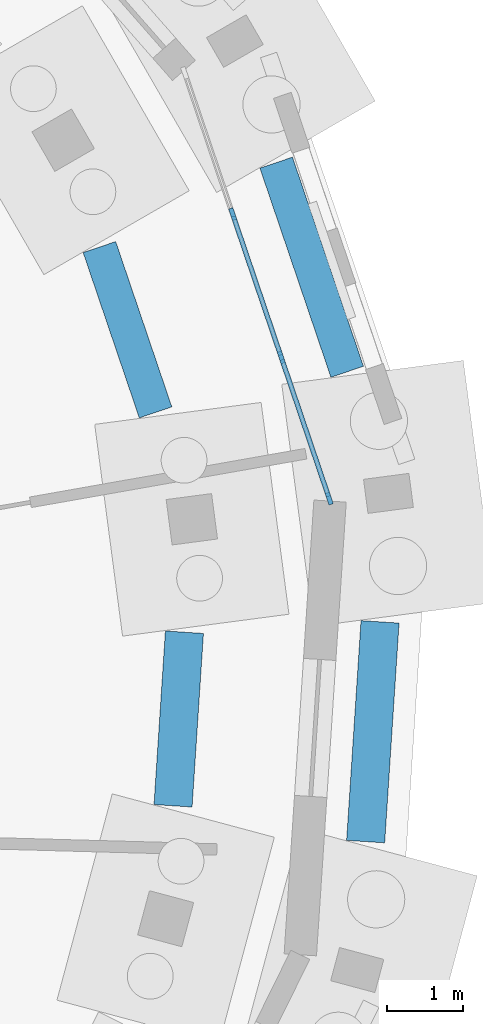
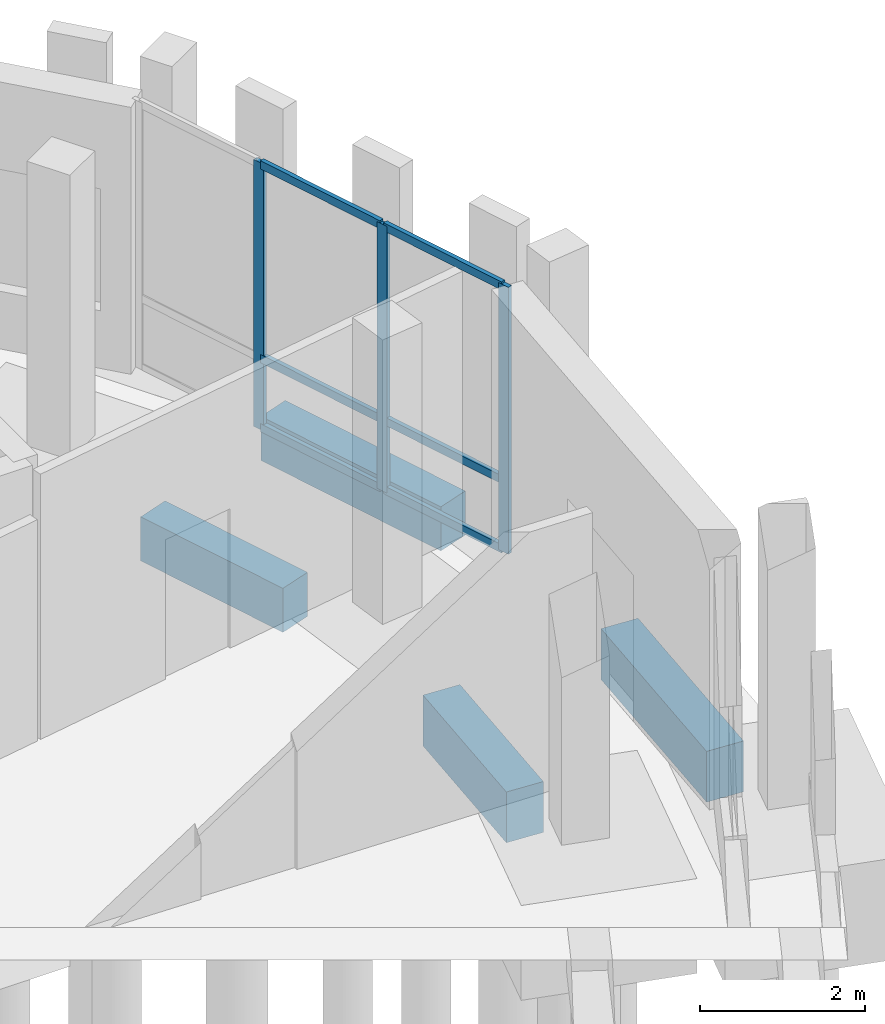
# One storey, part 59 of 113: 9 members, 4 beams, 1 element without a shape of its own.
"""IFC4 building model written with IfcOpenShell, lengths in metres."""

from ifc_helpers import new_model, si_unit, direction, frame, origin, origin_2d, place, context, subcontext, project, spatial, rectangle, extrude, material, material_profile, profile_set, type_object, element, aggregate, save


model = new_model("IFC4")

# Units and contexts
model_context = context("Model", 3, precision=1e-05, world=origin(), true_north=direction((0.0, 1.0)))
body_context = subcontext(model_context, "Body", "Model", "MODEL_VIEW")
ifc_project = project(units=[si_unit("LENGTHUNIT", "METRE"), si_unit("AREAUNIT", "SQUARE_METRE"), si_unit("VOLUMEUNIT", "CUBIC_METRE"), si_unit("PLANEANGLEUNIT", "RADIAN"), si_unit("MASSUNIT", "GRAM", prefix="KILO")], contexts=[model_context])

# Site, building, storey
site_placement = place(None, origin())
site = spatial("IfcSite", under=ifc_project, at=site_placement, CompositionType="ELEMENT")
building_placement = place(site_placement, origin())
building = spatial("IfcBuilding", under=site, at=building_placement, Name="Wrenclough Park School", CompositionType="ELEMENT")
storey_placement = place(building_placement, origin())
storey = spatial("IfcBuildingStorey", under=building, at=storey_placement, Name="L00", CompositionType="ELEMENT", Elevation=0.0)

# Curtain wall, members
ifc_material_1 = material(Name="Thermally broken aluminium and low-e glass curtain wall", Category="aluminium")
curtain_wall_type = type_object("IfcCurtainWallType", Name="ENV-CW-09", PredefinedType="USERDEFINED", material=ifc_material_1)
curtain_wall_placement = place(storey_placement, origin())
curtain_wall = element("IfcCurtainWall", 1, at=curtain_wall_placement, inside=storey, type_object=curtain_wall_type, Name="L00 recessed curtain wall assembly 024", ObjectType="CURTAIN WALL", PredefinedType="USERDEFINED")
ifc_material_2 = material(Name="Thermally broken anodised aluminium", Category="aluminium")
ifc_material_profile_1 = material_profile(ifc_material_2, rectangle(XDim=0.06005859375, YDim=0.159912109375, at=origin_2d()), Name="AL MULLION 60x160")
ifc_profile_set_1 = profile_set([ifc_material_profile_1], Name="Thermally broken anodised aluminium")
member_type_1 = type_object("IfcMemberType", Name="ENV-CWM-1", PredefinedType="MULLION", material=ifc_profile_set_1)
member_1_placement = place(storey_placement, frame((188.3701171875, 99.256103515625, 0.0), z_axis=(0.0, 0.0, 1.0), x_axis=(0.946933787668, 0.321428688473, 0.0)))
member_1 = element("IfcMember", 2, at=member_1_placement, type_object=member_type_1, Name="CW-09 mullion 2", PredefinedType="MULLION", context=body_context, shape_type="SweptSolid", body=[
    extrude(rectangle(XDim=0.06005859375, YDim=0.159912109375, at=origin_2d()), origin(), (0.0, 0.0, 1.0), 3.93994140625),
])
member_2_placement = place(storey_placement, frame((189.0078125, 97.376953125, 0.0), z_axis=(0.0, 0.0, 1.0), x_axis=(0.946933787668, 0.321428688473, 0.0)))
member_2 = element("IfcMember", 3, at=member_2_placement, type_object=member_type_1, Name="CW-09 mullion 3", PredefinedType="MULLION", context=body_context, shape_type="SweptSolid", body=[
    extrude(rectangle(XDim=0.06005859375, YDim=0.159912109375, at=origin_2d()), origin(), (0.0, 0.0, 1.0), 3.93994140625),
])
member_3_placement = place(storey_placement, frame((189.635986328125, 95.5263671875, 0.0), z_axis=(0.0, 0.0, 1.0), x_axis=(0.946933787668, 0.321428688473, 0.0)))
member_3 = element("IfcMember", 4, at=member_3_placement, type_object=member_type_1, Name="CW-09 mullion 4", PredefinedType="MULLION", context=body_context, shape_type="SweptSolid", body=[
    extrude(rectangle(XDim=0.06005859375, YDim=0.159912109375, at=origin_2d()), origin(), (0.0, 0.0, 1.0), 3.93994140625),
])
ifc_material_profile_2 = material_profile(ifc_material_2, rectangle(XDim=0.06005859375, YDim=0.1201171875, at=origin_2d()), Name="AL TRANSOM 60x120")
ifc_profile_set_2 = profile_set([ifc_material_profile_2], Name="Thermally broken anodised aluminium")
member_type_2 = type_object("IfcMemberType", Name="ENV-CWT-1", PredefinedType="USERDEFINED", material=ifc_profile_set_2)
member_4_placement = place(storey_placement, frame((188.379638671875, 99.2275390625, 0.030029296875), z_axis=(0.321475117743, -0.946918026374, 0.0), x_axis=(0.946918026374, 0.321475117743, 0.0)))
member_4 = element("IfcMember", 5, at=member_4_placement, type_object=member_type_2, Name="CW-09 transom 2.1", ObjectType="TRANSOM", PredefinedType="USERDEFINED", context=body_context, shape_type="SweptSolid", body=[
    extrude(rectangle(XDim=0.06005859375, YDim=0.1201171875, at=origin_2d()), origin(), (0.0, 0.0, 1.0), 1.92431640625),
])
member_5_placement = place(storey_placement, frame((188.379638671875, 99.2275390625, 1.050048828125), z_axis=(0.321475117743, -0.946918026374, 0.0), x_axis=(0.946918026374, 0.321475117743, 0.0)))
member_5 = element("IfcMember", 6, at=member_5_placement, type_object=member_type_2, Name="CW-09 transom 2.2", ObjectType="TRANSOM", PredefinedType="USERDEFINED", context=body_context, shape_type="SweptSolid", body=[
    extrude(rectangle(XDim=0.06005859375, YDim=0.1201171875, at=origin_2d()), origin(), (0.0, 0.0, 1.0), 1.92431640625),
])
member_6_placement = place(storey_placement, frame((188.379638671875, 99.2275390625, 3.909912109375), z_axis=(0.321475117743, -0.946918026374, 0.0), x_axis=(0.946918026374, 0.321475117743, 0.0)))
member_6 = element("IfcMember", 7, at=member_6_placement, type_object=member_type_2, Name="CW-09 transom 2.3", ObjectType="TRANSOM", PredefinedType="USERDEFINED", context=body_context, shape_type="SweptSolid", body=[
    extrude(rectangle(XDim=0.06005859375, YDim=0.1201171875, at=origin_2d()), origin(), (0.0, 0.0, 1.0), 1.92431640625),
])
member_7_placement = place(storey_placement, frame((189.017578125, 97.3486328125, 0.030029296875), z_axis=(0.321403655134, -0.946942284654, 0.0), x_axis=(0.946942284654, 0.321403655134, 0.0)))
member_7 = element("IfcMember", 8, at=member_7_placement, type_object=member_type_2, Name="CW-09 transom 3.1", ObjectType="TRANSOM", PredefinedType="USERDEFINED", context=body_context, shape_type="SweptSolid", body=[
    extrude(rectangle(XDim=0.06005859375, YDim=0.1201171875, at=origin_2d()), origin(), (0.0, 0.0, 1.0), 1.89453125),
])
member_8_placement = place(storey_placement, frame((189.017578125, 97.3486328125, 1.050048828125), z_axis=(0.321403655134, -0.946942284654, 0.0), x_axis=(0.946942284654, 0.321403655134, 0.0)))
member_8 = element("IfcMember", 9, at=member_8_placement, type_object=member_type_2, Name="CW-09 transom 3.2", ObjectType="TRANSOM", PredefinedType="USERDEFINED", context=body_context, shape_type="SweptSolid", body=[
    extrude(rectangle(XDim=0.06005859375, YDim=0.1201171875, at=origin_2d()), origin(), (0.0, 0.0, 1.0), 1.89453125),
])
member_9_placement = place(storey_placement, frame((189.017578125, 97.3486328125, 3.909912109375), z_axis=(0.321403655134, -0.946942284654, 0.0), x_axis=(0.946942284654, 0.321403655134, 0.0)))
member_9 = element("IfcMember", 10, at=member_9_placement, type_object=member_type_2, Name="CW-09 transom 3.3", ObjectType="TRANSOM", PredefinedType="USERDEFINED", context=body_context, shape_type="SweptSolid", body=[
    extrude(rectangle(XDim=0.06005859375, YDim=0.1201171875, at=origin_2d()), origin(), (0.0, 0.0, 1.0), 1.89453125),
])
aggregate(curtain_wall, [member_1, member_2, member_3, member_4, member_5, member_6, member_7, member_8, member_9])

# Beams
ifc_material_3 = material(Name="Concrete C35/45", Category="concrete")
ifc_material_profile_3 = material_profile(ifc_material_3, rectangle(XDim=0.449951171875, YDim=0.64990234375, at=origin_2d()), Name="RC GROUND 450x650")
ifc_profile_set_3 = profile_set([ifc_material_profile_3], Name="Concrete C35/45")
beam_type_1 = type_object("IfcBeamType", Name="STR-BM-GTB1", PredefinedType="USERDEFINED", material=ifc_profile_set_3)
beam_1_placement = place(storey_placement, frame((189.87158203125, 97.189208984375, -0.64990234375), z_axis=(-0.321434072315, 0.946931960151, 0.0), x_axis=(-0.946931960151, -0.321434072315, 0.0)))
element("IfcBeam", 11, at=beam_1_placement, inside=storey, type_object=beam_type_1, Name="Reinforced concrete ground tie beam 089", ObjectType="GROUND TIE BEAM", PredefinedType="USERDEFINED", context=body_context, shape_type="SweptSolid", body=[
    extrude(rectangle(XDim=0.449951171875, YDim=0.64990234375, at=origin_2d()), origin(), (0.0, 0.0, 1.0), 2.895263671875),
])
beam_2_placement = place(storey_placement, frame((187.359375, 96.65673828125, -0.64990234375), z_axis=(-0.321503027153, 0.946908550775, 0.0), x_axis=(-0.946908550775, -0.321503027153, 0.0)))
element("IfcBeam", 12, at=beam_2_placement, inside=storey, type_object=beam_type_1, Name="Reinforced concrete ground tie beam 103", ObjectType="GROUND TIE BEAM", PredefinedType="USERDEFINED", context=body_context, shape_type="SweptSolid", body=[
    extrude(rectangle(XDim=0.449951171875, YDim=0.64990234375, at=origin_2d()), origin(), (0.0, 0.0, 1.0), 2.288818359375),
])
ifc_material_profile_4 = material_profile(ifc_material_3, rectangle(XDim=0.5, YDim=0.75, at=origin_2d()), Name="RC GROUND 500x750")
ifc_profile_set_4 = profile_set([ifc_material_profile_4], Name="Concrete C35/45")
beam_type_2 = type_object("IfcBeamType", Name="STR-BM-GTB2", PredefinedType="USERDEFINED", material=ifc_profile_set_4)
beam_3_placement = place(storey_placement, frame((190.30224609375, 93.910888671875, -0.699951171875), z_axis=(-0.065362849572, -0.99786156249, 0.0), x_axis=(0.99786156249, -0.065362849572, 0.0)))
element("IfcBeam", 13, at=beam_3_placement, inside=storey, type_object=beam_type_2, Name="Reinforced concrete ground tie beam 088", ObjectType="GROUND TIE BEAM", PredefinedType="USERDEFINED", context=body_context, shape_type="SweptSolid", body=[
    extrude(rectangle(XDim=0.5, YDim=0.75, at=origin_2d()), origin(), (0.0, 0.0, 1.0), 2.88720703125),
])
beam_4_placement = place(storey_placement, frame((187.73779296875, 93.775146484375, -0.699951171875), z_axis=(-0.06540353848, -0.997858896415, 0.0), x_axis=(0.997858896415, -0.06540353848, 0.0)))
element("IfcBeam", 14, at=beam_4_placement, inside=storey, type_object=beam_type_2, Name="Reinforced concrete ground tie beam 104", ObjectType="GROUND TIE BEAM", PredefinedType="USERDEFINED", context=body_context, shape_type="SweptSolid", body=[
    extrude(rectangle(XDim=0.5, YDim=0.75, at=origin_2d()), origin(), (0.0, 0.0, 1.0), 2.28076171875),
])

save(model, "model.ifc")
